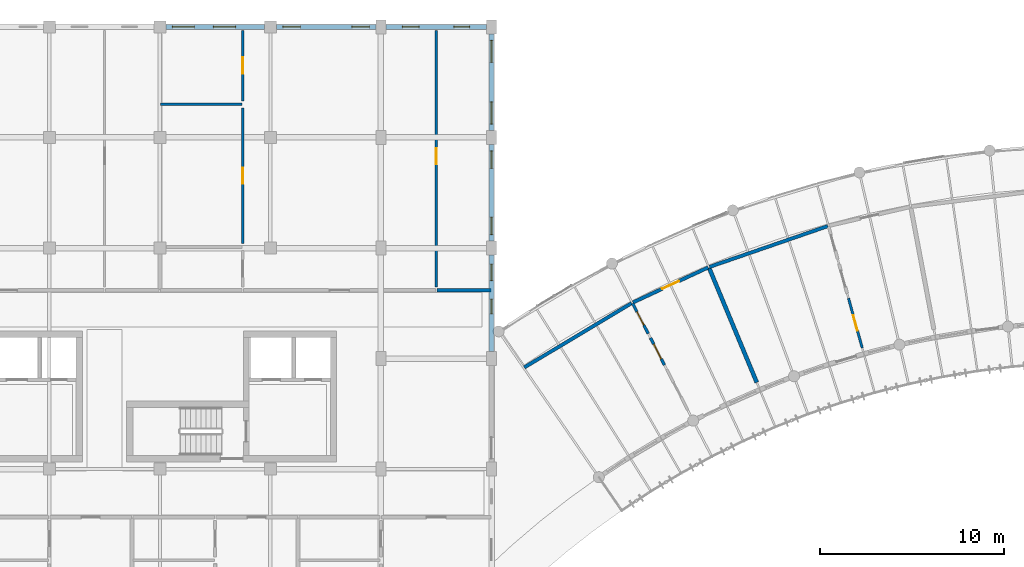
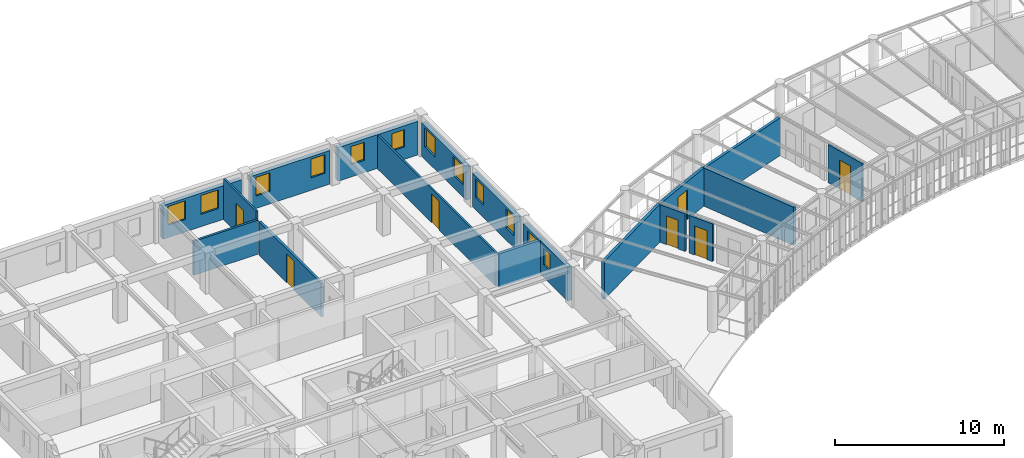
# One storey, part 72 of 100: 18 walls, 12 windows, 7 doors, 19 openings.
"""IFC4 building model written with IfcOpenShell, lengths in metres."""

from ifc_helpers import new_model, si_unit, direction, frame, frame_2d, origin, place, context, subcontext, project, spatial, rectangle, extrude, material, layer, layer_set, type_object, element, fill, save


model = new_model("IFC4")

# Units and contexts
model_context = context("Model", 3, precision=1e-05, world=origin(), true_north=direction((0.0, 1.0)))
body_context = subcontext(model_context, "Body", "Model", "MODEL_VIEW")
ifc_project = project(units=[si_unit("LENGTHUNIT", "METRE"), si_unit("AREAUNIT", "SQUARE_METRE"), si_unit("VOLUMEUNIT", "CUBIC_METRE"), si_unit("PLANEANGLEUNIT", "RADIAN"), si_unit("MASSUNIT", "GRAM", prefix="KILO"), si_unit("POWERUNIT", "WATT"), si_unit("THERMODYNAMICTEMPERATUREUNIT", "KELVIN")], contexts=[model_context])

# Site, building, storey
site_placement = place(None, origin())
site = spatial("IfcSite", under=ifc_project, at=site_placement, CompositionType="ELEMENT")
building_placement = place(site_placement, origin())
building = spatial("IfcBuilding", under=site, at=building_placement, Name="Ruvembo Vaulted Housing Court", CompositionType="ELEMENT")
storey_placement = place(building_placement, frame((0.0, 0.0, 14.10009765625)))
storey = spatial("IfcBuildingStorey", under=building, at=storey_placement, Name="L04", CompositionType="ELEMENT", Elevation=14.10009765625)

# Walls
ifc_material_1 = material(Name="Concrete Blockwork 190", Category="masonry")
ifc_layer_1 = layer(ifc_material_1, 0.18994140625, Name="Concrete Blockwork 190")
ifc_layer_set_1 = layer_set([ifc_layer_1], Name="Concrete Blockwork 190")
wall_type_1 = type_object("IfcWallType", Name="WL-CORR-190", PredefinedType="SOLIDWALL", material=ifc_layer_set_1)
wall_1_placement = place(storey_placement, frame((81.0400390625, 99.699951171875, 0.0), z_axis=(0.0, 0.0, 1.0), x_axis=(1.0, 0.0, 0.0)))
element("IfcWall", 1, at=wall_1_placement, inside=storey, type_object=wall_type_1, Name="L04 Flat B-L04-N2 Corridor Wall 2 WL-INT-L04-01185", PredefinedType="SOLIDWALL", context=body_context, shape_type="SweptSolid", body=[
    extrude(rectangle(XDim=2.919921875, YDim=0.18994140625, at=frame_2d((1.4599609375, 0.0))), origin(), (0.0, 0.0, 1.0), 2.431884765625),
])
wall_2_placement = place(storey_placement, frame((85.779296875, 95.519775390625, 0.0), z_axis=(0.0, 0.0, 1.0), x_axis=(0.857911441451, 0.513797585268, 0.0)))
element("IfcWall", 2, at=wall_2_placement, inside=storey, type_object=wall_type_1, Name="L04 Suite SC3-L04-U1 Gallery Wall WL-INT-L04-01345", PredefinedType="SOLIDWALL", context=body_context, shape_type="SweptSolid", body=[
    extrude(rectangle(XDim=6.789794921875, YDim=0.18994140625, at=frame_2d((3.39501953125, 0.0))), origin(), (0.0, 0.0, 1.0), 2.741943359375),
])

# Wall, opening, door
wall_3_placement = place(storey_placement, frame((91.6748046875, 99.0458984375, 0.0), z_axis=(0.0, 0.0, 1.0), x_axis=(0.906512639591, 0.422178675755, 0.0)))
wall_3 = element("IfcWall", 3, at=wall_3_placement, inside=storey, type_object=wall_type_1, Name="L04 Suite SC3-L04-U1 Entrance WL-INT-L04-01346", PredefinedType="SOLIDWALL", context=body_context, shape_type="SweptSolid", body=[
    extrude(rectangle(XDim=4.50146484375, YDim=0.18994140625, at=frame_2d((2.250732421875, 0.0))), origin(), (0.0, 0.0, 1.0), 2.741943359375),
])
opening_1_placement = place(wall_3_placement, frame((1.750732421875, 0.0, 0.0)))
opening_1 = element("IfcOpeningElement", 4, at=opening_1_placement, cuts=wall_3, Name="Opening FD1", PredefinedType="OPENING", context=body_context, shape_type="SweptSolid", body=[
    extrude(rectangle(XDim=1.0, YDim=2.14990234375, at=frame_2d((0.5, 1.074951171875))), frame((0.0, 0.10498046875, 0.0), z_axis=(0.0, -1.0, 0.0), x_axis=(1.0, 0.0, 0.0)), (0.0, 0.0, 1.0), 0.2099609375),
])
ifc_material_2 = material(Name="FSC Hardwood and Engineered Timber", Category="wood")
door_type_1 = type_object("IfcDoorType", Name="DR-FLAT-1000x2150", OperationType="NOTDEFINED", PredefinedType="DOOR", material=ifc_material_2)
door_1_placement = place(opening_1_placement, origin())
door_1 = element("IfcDoor", 5, at=door_1_placement, inside=storey, type_object=door_type_1, Name="L04 Suite SC3-L04-U1 Entrance Door DR-INT-L04-00756", OperationType="SINGLE_SWING_RIGHT", OverallHeight=2.14990234375, OverallWidth=1.0, PredefinedType="DOOR", context=body_context, shape_type="SweptSolid", body=[
    extrude(rectangle(XDim=1.0, YDim=2.14990234375, at=frame_2d((0.5, 1.074951171875))), frame((0.0, 0.02490234375, 0.0), z_axis=(0.0, -1.0, 0.0), x_axis=(1.0, 0.0, 0.0)), (0.0, 0.0, 1.0), 0.050048828125),
])
fill(opening_1, door_1)

# Walls
wall_4_placement = place(storey_placement, frame((95.82958984375, 100.976318359375, 0.0), z_axis=(0.0, 0.0, 1.0), x_axis=(0.945371453115, 0.325995115969, 0.0)))
element("IfcWall", 6, at=wall_4_placement, inside=storey, type_object=wall_type_1, Name="L04 Suite SC3-L04-U2 Gallery Wall WL-INT-L04-01351", PredefinedType="SOLIDWALL", context=body_context, shape_type="SweptSolid", body=[
    extrude(rectangle(XDim=6.78955078125, YDim=0.18994140625, at=frame_2d((3.394775390625, 0.0))), origin(), (0.0, 0.0, 1.0), 2.721923828125),
])
ifc_material_3 = material(Name="Acoustic Masonry Demising 220", Category="masonry")
ifc_layer_2 = layer(ifc_material_3, 0.219970703125, Name="Acoustic Masonry Demising 220")
ifc_layer_set_2 = layer_set([ifc_layer_2], Name="Acoustic Masonry Demising 220")
wall_type_2 = type_object("IfcWallType", Name="WL-DEM-200", PredefinedType="SOLIDWALL", material=ifc_layer_set_2)
wall_5_placement = place(storey_placement, frame((98.39501953125, 94.707275390625, 0.0), z_axis=(0.0, 0.0, 1.0), x_axis=(-0.384190705314, 0.923253758157, 0.0)))
element("IfcWall", 7, at=wall_5_placement, inside=storey, type_object=wall_type_2, Name="L04 Suite SC3-L04-U1 Demising WL-INT-L04-01350", PredefinedType="SOLIDWALL", context=body_context, shape_type="SweptSolid", body=[
    extrude(rectangle(XDim=6.73583984375, YDim=0.219970703125, at=frame_2d((3.367919921875, 0.0))), origin(), (0.0, 0.0, 1.0), 2.761962890625),
])

# Wall, openings, windows
ifc_material_4 = material(Name="Rendered Masonry 285", Category="masonry")
ifc_layer_3 = layer(ifc_material_4, 0.284912109375, Name="Rendered Masonry 285")
ifc_layer_set_3 = layer_set([ifc_layer_3], Name="Rendered Masonry 285")
wall_type_3 = type_object("IfcWallType", Name="WL-EXT-285", PredefinedType="STANDARD", material=ifc_layer_set_3)
wall_6_placement = place(storey_placement, frame((84.0, 96.375, 0.0), z_axis=(0.0, 0.0, 1.0), x_axis=(0.0, 1.0, 0.0)))
wall_6 = element("IfcWall", 8, at=wall_6_placement, inside=storey, type_object=wall_type_3, Name="Block B L04 Exterior Wall EAST #4", PredefinedType="STANDARD", context=body_context, shape_type="SweptSolid", body=[
    extrude(rectangle(XDim=5.25, YDim=0.284912109375, at=frame_2d((2.625, 0.0))), origin(), (0.0, 0.0, 1.0), 2.431884765625),
])
opening_2_placement = place(wall_6_placement, frame((2.0537109375, 0.0, 0.89990234375)))
opening_2 = element("IfcOpeningElement", 9, at=opening_2_placement, cuts=wall_6, Name="Opening W02", PredefinedType="OPENING", context=body_context, shape_type="SweptSolid", body=[
    extrude(rectangle(XDim=0.800048828125, YDim=1.199951171875, at=frame_2d((0.39990234375, 0.60009765625))), frame((0.0, 0.15234375, 0.0), z_axis=(0.0, -1.0, 0.0), x_axis=(1.0, 0.0, 0.0)), (0.0, 0.0, 1.0), 0.304931640625),
])
opening_3_placement = place(wall_6_placement, frame((3.857421875, 0.0, 0.89990234375)))
opening_3 = element("IfcOpeningElement", 10, at=opening_3_placement, cuts=wall_6, Name="Opening W04", PredefinedType="OPENING", context=body_context, shape_type="SweptSolid", body=[
    extrude(rectangle(XDim=0.89990234375, YDim=1.300048828125, at=frame_2d((0.449951171875, 0.64990234375))), frame((0.0, 0.15234375, 0.0), z_axis=(0.0, -1.0, 0.0), x_axis=(1.0, 0.0, 0.0)), (0.0, 0.0, 1.0), 0.304931640625),
])
ifc_material_5 = material(Name="Double Solar-Control Glazing in Aluminium Frame", Category="aluminium")
window_type_1 = type_object("IfcWindowType", Name="WIN-0800x1200", PartitioningType="SINGLE_PANEL", PredefinedType="WINDOW", material=ifc_material_5)
window_1_placement = place(opening_2_placement, origin())
window_1 = element("IfcWindow", 11, at=window_1_placement, inside=storey, type_object=window_type_1, Name="Block B L04 Window #781", OverallHeight=1.199951171875, OverallWidth=0.800048828125, PartitioningType="SINGLE_PANEL", PredefinedType="WINDOW", context=body_context, shape_type="SweptSolid", body=[
    extrude(rectangle(XDim=0.800048828125, YDim=1.199951171875, at=frame_2d((0.39990234375, 0.60009765625))), frame((0.0, 0.030029296875, 0.0), z_axis=(0.0, -1.0, 0.0), x_axis=(1.0, 0.0, 0.0)), (0.0, 0.0, 1.0), 0.06005859375),
])
fill(opening_2, window_1)
window_type_2 = type_object("IfcWindowType", Name="WIN-0900x1300", PartitioningType="SINGLE_PANEL", PredefinedType="WINDOW", material=ifc_material_5)
window_2_placement = place(opening_3_placement, origin())
window_2 = element("IfcWindow", 12, at=window_2_placement, inside=storey, type_object=window_type_2, Name="Block B L04 Window #782", OverallHeight=1.300048828125, OverallWidth=0.89990234375, PartitioningType="SINGLE_PANEL", PredefinedType="WINDOW", context=body_context, shape_type="SweptSolid", body=[
    extrude(rectangle(XDim=0.89990234375, YDim=1.300048828125, at=frame_2d((0.449951171875, 0.64990234375))), frame((0.0, 0.030029296875, 0.0), z_axis=(0.0, -1.0, 0.0), x_axis=(1.0, 0.0, 0.0)), (0.0, 0.0, 1.0), 0.06005859375),
])
fill(opening_3, window_2)

wall_7_placement = place(storey_placement, frame((84.0, 102.375, 0.0), z_axis=(0.0, 0.0, 1.0), x_axis=(0.0, 1.0, 0.0)))
wall_7 = element("IfcWall", 13, at=wall_7_placement, inside=storey, type_object=wall_type_3, Name="Block B L04 Exterior Wall EAST #5", PredefinedType="STANDARD", context=body_context, shape_type="SweptSolid", body=[
    extrude(rectangle(XDim=5.25, YDim=0.284912109375, at=frame_2d((2.625, 0.0))), origin(), (0.0, 0.0, 1.0), 2.431884765625),
])
opening_4_placement = place(wall_7_placement, frame((0.35009765625, 0.0, 0.89990234375)))
opening_4 = element("IfcOpeningElement", 14, at=opening_4_placement, cuts=wall_7, Name="Opening W07", PredefinedType="OPENING", context=body_context, shape_type="SweptSolid", body=[
    extrude(rectangle(XDim=0.949951171875, YDim=1.35009765625, at=frame_2d((0.47509765625, 0.675048828125))), frame((0.0, 0.15234375, 0.0), z_axis=(0.0, -1.0, 0.0), x_axis=(1.0, 0.0, 0.0)), (0.0, 0.0, 1.0), 0.304931640625),
])
opening_5_placement = place(wall_7_placement, frame((3.949951171875, 0.0, 0.89990234375)))
opening_5 = element("IfcOpeningElement", 15, at=opening_5_placement, cuts=wall_7, Name="Opening W07", PredefinedType="OPENING", context=body_context, shape_type="SweptSolid", body=[
    extrude(rectangle(XDim=0.949951171875, YDim=1.35009765625, at=frame_2d((0.47509765625, 0.675048828125))), frame((0.0, 0.15234375, 0.0), z_axis=(0.0, -1.0, 0.0), x_axis=(1.0, 0.0, 0.0)), (0.0, 0.0, 1.0), 0.304931640625),
])
window_type_3 = type_object("IfcWindowType", Name="WIN-0950x1350", PartitioningType="SINGLE_PANEL", PredefinedType="WINDOW", material=ifc_material_5)
window_3_placement = place(opening_4_placement, origin())
window_3 = element("IfcWindow", 16, at=window_3_placement, inside=storey, type_object=window_type_3, Name="Block B L04 Window #783", OverallHeight=1.35009765625, OverallWidth=0.949951171875, PartitioningType="SINGLE_PANEL", PredefinedType="WINDOW", context=body_context, shape_type="SweptSolid", body=[
    extrude(rectangle(XDim=0.949951171875, YDim=1.35009765625, at=frame_2d((0.47509765625, 0.675048828125))), frame((0.0, 0.030029296875, 0.0), z_axis=(0.0, -1.0, 0.0), x_axis=(1.0, 0.0, 0.0)), (0.0, 0.0, 1.0), 0.06005859375),
])
fill(opening_4, window_3)
window_4_placement = place(opening_5_placement, origin())
window_4 = element("IfcWindow", 17, at=window_4_placement, inside=storey, type_object=window_type_3, Name="Block B L04 Window #784", OverallHeight=1.35009765625, OverallWidth=0.949951171875, PartitioningType="SINGLE_PANEL", PredefinedType="WINDOW", context=body_context, shape_type="SweptSolid", body=[
    extrude(rectangle(XDim=0.949951171875, YDim=1.35009765625, at=frame_2d((0.47509765625, 0.675048828125))), frame((0.0, 0.030029296875, 0.0), z_axis=(0.0, -1.0, 0.0), x_axis=(1.0, 0.0, 0.0)), (0.0, 0.0, 1.0), 0.06005859375),
])
fill(opening_5, window_4)

wall_8_placement = place(storey_placement, frame((84.0, 108.375, 0.0), z_axis=(0.0, 0.0, 1.0), x_axis=(0.0, 1.0, 0.0)))
wall_8 = element("IfcWall", 18, at=wall_8_placement, inside=storey, type_object=wall_type_3, Name="Block B L04 Exterior Wall EAST #6", PredefinedType="STANDARD", context=body_context, shape_type="SweptSolid", body=[
    extrude(rectangle(XDim=5.25, YDim=0.284912109375, at=frame_2d((2.625, 0.0))), origin(), (0.0, 0.0, 1.0), 2.431884765625),
])
opening_6_placement = place(wall_8_placement, frame((0.35009765625, 0.0, 0.89990234375)))
opening_6 = element("IfcOpeningElement", 19, at=opening_6_placement, cuts=wall_8, Name="Opening W12", PredefinedType="OPENING", context=body_context, shape_type="SweptSolid", body=[
    extrude(rectangle(XDim=1.199951171875, YDim=1.35009765625, at=frame_2d((0.60009765625, 0.675048828125))), frame((0.0, 0.15234375, 0.0), z_axis=(0.0, -1.0, 0.0), x_axis=(1.0, 0.0, 0.0)), (0.0, 0.0, 1.0), 0.304931640625),
])
opening_7_placement = place(wall_8_placement, frame((3.699951171875, 0.0, 0.89990234375)))
opening_7 = element("IfcOpeningElement", 20, at=opening_7_placement, cuts=wall_8, Name="Opening W12", PredefinedType="OPENING", context=body_context, shape_type="SweptSolid", body=[
    extrude(rectangle(XDim=1.199951171875, YDim=1.35009765625, at=frame_2d((0.60009765625, 0.675048828125))), frame((0.0, 0.15234375, 0.0), z_axis=(0.0, -1.0, 0.0), x_axis=(1.0, 0.0, 0.0)), (0.0, 0.0, 1.0), 0.304931640625),
])
window_type_4 = type_object("IfcWindowType", Name="WIN-1200x1350", PartitioningType="SINGLE_PANEL", PredefinedType="WINDOW", material=ifc_material_5)
window_5_placement = place(opening_6_placement, origin())
window_5 = element("IfcWindow", 21, at=window_5_placement, inside=storey, type_object=window_type_4, Name="Block B L04 Window #785", OverallHeight=1.35009765625, OverallWidth=1.199951171875, PartitioningType="SINGLE_PANEL", PredefinedType="WINDOW", context=body_context, shape_type="SweptSolid", body=[
    extrude(rectangle(XDim=1.199951171875, YDim=1.35009765625, at=frame_2d((0.60009765625, 0.675048828125))), frame((0.0, 0.030029296875, 0.0), z_axis=(0.0, -1.0, 0.0), x_axis=(1.0, 0.0, 0.0)), (0.0, 0.0, 1.0), 0.06005859375),
])
fill(opening_6, window_5)
window_6_placement = place(opening_7_placement, origin())
window_6 = element("IfcWindow", 22, at=window_6_placement, inside=storey, type_object=window_type_4, Name="Block B L04 Window #786", OverallHeight=1.35009765625, OverallWidth=1.199951171875, PartitioningType="SINGLE_PANEL", PredefinedType="WINDOW", context=body_context, shape_type="SweptSolid", body=[
    extrude(rectangle(XDim=1.199951171875, YDim=1.35009765625, at=frame_2d((0.60009765625, 0.675048828125))), frame((0.0, 0.030029296875, 0.0), z_axis=(0.0, -1.0, 0.0), x_axis=(1.0, 0.0, 0.0)), (0.0, 0.0, 1.0), 0.06005859375),
])
fill(opening_7, window_6)

wall_9_placement = place(storey_placement, frame((83.72509765625, 114.0, 0.0), z_axis=(0.0, 0.0, 1.0), x_axis=(-1.0, 0.0, 0.0)))
wall_9 = element("IfcWall", 23, at=wall_9_placement, inside=storey, type_object=wall_type_3, Name="Block B L04 Exterior Wall STREET #1", PredefinedType="STANDARD", context=body_context, shape_type="SweptSolid", body=[
    extrude(rectangle(XDim=5.4501953125, YDim=0.284912109375, at=frame_2d((2.72509765625, 0.0))), origin(), (0.0, 0.0, 1.0), 2.431884765625),
])
opening_8_placement = place(wall_9_placement, frame((0.91748046875, 0.0, 0.89990234375)))
opening_8 = element("IfcOpeningElement", 24, at=opening_8_placement, cuts=wall_9, Name="Opening W03", PredefinedType="OPENING", context=body_context, shape_type="SweptSolid", body=[
    extrude(rectangle(XDim=0.85009765625, YDim=1.25, at=frame_2d((0.425048828125, 0.625))), frame((0.0, 0.15234375, 0.0), z_axis=(0.0, -1.0, 0.0), x_axis=(1.0, 0.0, 0.0)), (0.0, 0.0, 1.0), 0.304931640625),
])
opening_9_placement = place(wall_9_placement, frame((3.657470703125, 0.0, 0.89990234375)))
opening_9 = element("IfcOpeningElement", 25, at=opening_9_placement, cuts=wall_9, Name="Opening W04", PredefinedType="OPENING", context=body_context, shape_type="SweptSolid", body=[
    extrude(rectangle(XDim=0.89990234375, YDim=1.300048828125, at=frame_2d((0.449951171875, 0.64990234375))), frame((0.0, 0.15234375, 0.0), z_axis=(0.0, -1.0, 0.0), x_axis=(1.0, 0.0, 0.0)), (0.0, 0.0, 1.0), 0.304931640625),
])
window_type_5 = type_object("IfcWindowType", Name="WIN-0850x1250", PartitioningType="SINGLE_PANEL", PredefinedType="WINDOW", material=ifc_material_5)
window_7_placement = place(opening_8_placement, origin())
window_7 = element("IfcWindow", 26, at=window_7_placement, inside=storey, type_object=window_type_5, Name="Block B L04 Window #787", OverallHeight=1.25, OverallWidth=0.85009765625, PartitioningType="SINGLE_PANEL", PredefinedType="WINDOW", context=body_context, shape_type="SweptSolid", body=[
    extrude(rectangle(XDim=0.85009765625, YDim=1.25, at=frame_2d((0.425048828125, 0.625))), frame((0.0, 0.030029296875, 0.0), z_axis=(0.0, -1.0, 0.0), x_axis=(1.0, 0.0, 0.0)), (0.0, 0.0, 1.0), 0.06005859375),
])
fill(opening_8, window_7)
window_8_placement = place(opening_9_placement, origin())
window_8 = element("IfcWindow", 27, at=window_8_placement, inside=storey, type_object=window_type_2, Name="Block B L04 Window #788", OverallHeight=1.300048828125, OverallWidth=0.89990234375, PartitioningType="SINGLE_PANEL", PredefinedType="WINDOW", context=body_context, shape_type="SweptSolid", body=[
    extrude(rectangle(XDim=0.89990234375, YDim=1.300048828125, at=frame_2d((0.449951171875, 0.64990234375))), frame((0.0, 0.030029296875, 0.0), z_axis=(0.0, -1.0, 0.0), x_axis=(1.0, 0.0, 0.0)), (0.0, 0.0, 1.0), 0.06005859375),
])
fill(opening_9, window_8)

wall_10_placement = place(storey_placement, frame((77.72509765625, 114.0, 0.0), z_axis=(0.0, 0.0, 1.0), x_axis=(-1.0, 0.0, 0.0)))
wall_10 = element("IfcWall", 28, at=wall_10_placement, inside=storey, type_object=wall_type_3, Name="Block B L04 Exterior Wall STREET #2", PredefinedType="STANDARD", context=body_context, shape_type="SweptSolid", body=[
    extrude(rectangle(XDim=5.400146484375, YDim=0.284912109375, at=frame_2d((2.7001953125, 0.0))), origin(), (0.0, 0.0, 1.0), 2.431884765625),
])
opening_10_placement = place(wall_10_placement, frame((0.35009765625, 0.0, 0.89990234375)))
opening_10 = element("IfcOpeningElement", 29, at=opening_10_placement, cuts=wall_10, Name="Opening W07", PredefinedType="OPENING", context=body_context, shape_type="SweptSolid", body=[
    extrude(rectangle(XDim=0.949951171875, YDim=1.35009765625, at=frame_2d((0.47509765625, 0.675048828125))), frame((0.0, 0.15234375, 0.0), z_axis=(0.0, -1.0, 0.0), x_axis=(1.0, 0.0, 0.0)), (0.0, 0.0, 1.0), 0.304931640625),
])
opening_11_placement = place(wall_10_placement, frame((4.10009765625, 0.0, 0.89990234375)))
opening_11 = element("IfcOpeningElement", 30, at=opening_11_placement, cuts=wall_10, Name="Opening W07", PredefinedType="OPENING", context=body_context, shape_type="SweptSolid", body=[
    extrude(rectangle(XDim=0.949951171875, YDim=1.35009765625, at=frame_2d((0.47509765625, 0.675048828125))), frame((0.0, 0.15234375, 0.0), z_axis=(0.0, -1.0, 0.0), x_axis=(1.0, 0.0, 0.0)), (0.0, 0.0, 1.0), 0.304931640625),
])
window_9_placement = place(opening_10_placement, origin())
window_9 = element("IfcWindow", 31, at=window_9_placement, inside=storey, type_object=window_type_3, Name="Block B L04 Window #789", OverallHeight=1.35009765625, OverallWidth=0.949951171875, PartitioningType="SINGLE_PANEL", PredefinedType="WINDOW", context=body_context, shape_type="SweptSolid", body=[
    extrude(rectangle(XDim=0.949951171875, YDim=1.35009765625, at=frame_2d((0.47509765625, 0.675048828125))), frame((0.0, 0.030029296875, 0.0), z_axis=(0.0, -1.0, 0.0), x_axis=(1.0, 0.0, 0.0)), (0.0, 0.0, 1.0), 0.06005859375),
])
fill(opening_10, window_9)
window_10_placement = place(opening_11_placement, origin())
window_10 = element("IfcWindow", 32, at=window_10_placement, inside=storey, type_object=window_type_3, Name="Block B L04 Window #790", OverallHeight=1.35009765625, OverallWidth=0.949951171875, PartitioningType="SINGLE_PANEL", PredefinedType="WINDOW", context=body_context, shape_type="SweptSolid", body=[
    extrude(rectangle(XDim=0.949951171875, YDim=1.35009765625, at=frame_2d((0.47509765625, 0.675048828125))), frame((0.0, 0.030029296875, 0.0), z_axis=(0.0, -1.0, 0.0), x_axis=(1.0, 0.0, 0.0)), (0.0, 0.0, 1.0), 0.06005859375),
])
fill(opening_11, window_10)

wall_11_placement = place(storey_placement, frame((71.675048828125, 114.0, 0.0), z_axis=(0.0, 0.0, 1.0), x_axis=(-1.0, 0.0, 0.0)))
wall_11 = element("IfcWall", 33, at=wall_11_placement, inside=storey, type_object=wall_type_3, Name="Block B L04 Exterior Wall STREET #3", PredefinedType="STANDARD", context=body_context, shape_type="SweptSolid", body=[
    extrude(rectangle(XDim=5.35009765625, YDim=0.284912109375, at=frame_2d((2.675048828125, 0.0))), origin(), (0.0, 0.0, 1.0), 2.431884765625),
])
opening_12_placement = place(wall_11_placement, frame((1.56494140625, 0.0, 0.89990234375)))
opening_12 = element("IfcOpeningElement", 34, at=opening_12_placement, cuts=wall_11, Name="Opening W12", PredefinedType="OPENING", context=body_context, shape_type="SweptSolid", body=[
    extrude(rectangle(XDim=1.199951171875, YDim=1.35009765625, at=frame_2d((0.60009765625, 0.675048828125))), frame((0.0, 0.15234375, 0.0), z_axis=(0.0, -1.0, 0.0), x_axis=(1.0, 0.0, 0.0)), (0.0, 0.0, 1.0), 0.304931640625),
])
opening_13_placement = place(wall_11_placement, frame((3.800048828125, 0.0, 0.89990234375)))
opening_13 = element("IfcOpeningElement", 35, at=opening_13_placement, cuts=wall_11, Name="Opening W12", PredefinedType="OPENING", context=body_context, shape_type="SweptSolid", body=[
    extrude(rectangle(XDim=1.199951171875, YDim=1.35009765625, at=frame_2d((0.60009765625, 0.675048828125))), frame((0.0, 0.15234375, 0.0), z_axis=(0.0, -1.0, 0.0), x_axis=(1.0, 0.0, 0.0)), (0.0, 0.0, 1.0), 0.304931640625),
])
window_11_placement = place(opening_12_placement, origin())
window_11 = element("IfcWindow", 36, at=window_11_placement, inside=storey, type_object=window_type_4, Name="Block B L04 Window #791", OverallHeight=1.35009765625, OverallWidth=1.199951171875, PartitioningType="SINGLE_PANEL", PredefinedType="WINDOW", context=body_context, shape_type="SweptSolid", body=[
    extrude(rectangle(XDim=1.199951171875, YDim=1.35009765625, at=frame_2d((0.60009765625, 0.675048828125))), frame((0.0, 0.030029296875, 0.0), z_axis=(0.0, -1.0, 0.0), x_axis=(1.0, 0.0, 0.0)), (0.0, 0.0, 1.0), 0.06005859375),
])
fill(opening_12, window_11)
window_12_placement = place(opening_13_placement, origin())
window_12 = element("IfcWindow", 37, at=window_12_placement, inside=storey, type_object=window_type_4, Name="Block B L04 Window #792", OverallHeight=1.35009765625, OverallWidth=1.199951171875, PartitioningType="SINGLE_PANEL", PredefinedType="WINDOW", context=body_context, shape_type="SweptSolid", body=[
    extrude(rectangle(XDim=1.199951171875, YDim=1.35009765625, at=frame_2d((0.60009765625, 0.675048828125))), frame((0.0, 0.030029296875, 0.0), z_axis=(0.0, -1.0, 0.0), x_axis=(1.0, 0.0, 0.0)), (0.0, 0.0, 1.0), 0.06005859375),
])
fill(opening_13, window_12)

# Wall, opening, door
ifc_material_6 = material(Name="Plasterboard Stud Partition 125", Category="gypsum")
ifc_layer_4 = layer(ifc_material_6, 0.125, Name="Plasterboard Stud Partition 125")
ifc_layer_set_4 = layer_set([ifc_layer_4], Name="Plasterboard Stud Partition 125")
wall_type_4 = type_object("IfcWallType", Name="WL-PART-125", PredefinedType="PARTITIONING", material=ifc_layer_set_4)
wall_12_placement = place(storey_placement, frame((70.5, 109.989990234375, 0.0), z_axis=(0.0, 0.0, 1.0), x_axis=(0.0, 1.0, 0.0)))
wall_12 = element("IfcWall", 38, at=wall_12_placement, inside=storey, type_object=wall_type_4, Name="L04 Flat B-L04-N2 Bedroom 1 WL-INT-L04-01180", PredefinedType="PARTITIONING", context=body_context, shape_type="SweptSolid", body=[
    extrude(rectangle(XDim=3.820068359375, YDim=0.125, at=frame_2d((1.91015625, 0.0))), origin(), (0.0, 0.0, 1.0), 2.949951171875),
])
opening_14_placement = place(wall_12_placement, frame((1.4599609375, 0.0, 0.0)))
opening_14 = element("IfcOpeningElement", 39, at=opening_14_placement, cuts=wall_12, Name="Opening ID1", PredefinedType="OPENING", context=body_context, shape_type="SweptSolid", body=[
    extrude(rectangle(XDim=0.89990234375, YDim=2.10009765625, at=frame_2d((0.449951171875, 1.050048828125))), frame((0.0, 0.072509765625, 0.0), z_axis=(0.0, -1.0, 0.0), x_axis=(1.0, 0.0, 0.0)), (0.0, 0.0, 1.0), 0.14501953125),
])
door_type_2 = type_object("IfcDoorType", Name="DR-ROOM-0900x2100", OperationType="NOTDEFINED", PredefinedType="DOOR", material=ifc_material_2)
door_2_placement = place(opening_14_placement, origin())
door_2 = element("IfcDoor", 40, at=door_2_placement, inside=storey, type_object=door_type_2, Name="L04 Flat B-L04-N2 Bedroom 1 Door DR-INT-L04-00660", OperationType="SINGLE_SWING_RIGHT", OverallHeight=2.10009765625, OverallWidth=0.89990234375, PredefinedType="DOOR", context=body_context, shape_type="SweptSolid", body=[
    extrude(rectangle(XDim=0.89990234375, YDim=2.10009765625, at=frame_2d((0.449951171875, 1.050048828125))), frame((0.0, 0.02490234375, 0.0), z_axis=(0.0, -1.0, 0.0), x_axis=(1.0, 0.0, 0.0)), (0.0, 0.0, 1.0), 0.050048828125),
])
fill(opening_14, door_2)

wall_13_placement = place(storey_placement, frame((81.0, 99.889892578125, 0.0), z_axis=(0.0, 0.0, 1.0), x_axis=(0.0, 1.0, 0.0)))
wall_13 = element("IfcWall", 41, at=wall_13_placement, inside=storey, type_object=wall_type_4, Name="L04 Flat B-L04-N2 Bedroom 2 WL-INT-L04-01186", PredefinedType="PARTITIONING", context=body_context, shape_type="SweptSolid", body=[
    extrude(rectangle(XDim=13.920166015625, YDim=0.125, at=frame_2d((6.9599609375, 0.0))), origin(), (0.0, 0.0, 1.0), 2.431884765625),
])
opening_15_placement = place(wall_13_placement, frame((6.64990234375, 0.0, 0.0)))
opening_15 = element("IfcOpeningElement", 42, at=opening_15_placement, cuts=wall_13, Name="Opening ID3", PredefinedType="OPENING", context=body_context, shape_type="SweptSolid", body=[
    extrude(rectangle(XDim=0.8798828125, YDim=2.10009765625, at=frame_2d((0.43994140625, 1.050048828125))), frame((0.0, 0.072509765625, 0.0), z_axis=(0.0, -1.0, 0.0), x_axis=(1.0, 0.0, 0.0)), (0.0, 0.0, 1.0), 0.14501953125),
])
door_type_3 = type_object("IfcDoorType", Name="DR-ROOM-0880x2100", OperationType="NOTDEFINED", PredefinedType="DOOR", material=ifc_material_2)
door_3_placement = place(opening_15_placement, origin())
door_3 = element("IfcDoor", 43, at=door_3_placement, inside=storey, type_object=door_type_3, Name="L04 Flat B-L04-N2 Bedroom 2 Door DR-INT-L04-00663", OperationType="SINGLE_SWING_LEFT", OverallHeight=2.10009765625, OverallWidth=0.8798828125, PredefinedType="DOOR", context=body_context, shape_type="SweptSolid", body=[
    extrude(rectangle(XDim=0.8798828125, YDim=2.10009765625, at=frame_2d((0.43994140625, 1.050048828125))), frame((0.0, 0.02490234375, 0.0), z_axis=(0.0, -1.0, 0.0), x_axis=(1.0, 0.0, 0.0)), (0.0, 0.0, 1.0), 0.050048828125),
])
fill(opening_15, door_3)

ifc_material_7 = material(Name="Acoustic Stud Partition 135", Category="gypsum")
ifc_layer_5 = layer(ifc_material_7, 0.135009765625, Name="Acoustic Stud Partition 135")
ifc_layer_set_5 = layer_set([ifc_layer_5], Name="Acoustic Stud Partition 135")
wall_type_5 = type_object("IfcWallType", Name="WL-PART-135", PredefinedType="PARTITIONING", material=ifc_layer_set_5)
wall_14_placement = place(storey_placement, frame((104.117919921875, 96.57958984375, 0.0), z_axis=(0.0, 0.0, 1.0), x_axis=(-0.266568819947, 0.963815887103, 0.0)))
wall_14 = element("IfcWall", 44, at=wall_14_placement, inside=storey, type_object=wall_type_5, Name="L04 Suite SC3-L04-U2 Bedroom WL-INT-L04-01353", PredefinedType="PARTITIONING", context=body_context, shape_type="SweptSolid", body=[
    extrude(rectangle(XDim=2.7998046875, YDim=0.135009765625, at=frame_2d((1.39990234375, 0.0))), origin(), (0.0, 0.0, 1.0), 2.761962890625),
])
opening_16_placement = place(wall_14_placement, frame((0.9599609375, 0.0, 0.0)))
opening_16 = element("IfcOpeningElement", 45, at=opening_16_placement, cuts=wall_14, Name="Opening ID3", PredefinedType="OPENING", context=body_context, shape_type="SweptSolid", body=[
    extrude(rectangle(XDim=0.8798828125, YDim=2.10009765625, at=frame_2d((0.43994140625, 1.050048828125))), frame((0.0, 0.077392578125, 0.0), z_axis=(0.0, -1.0, 0.0), x_axis=(1.0, 0.0, 0.0)), (0.0, 0.0, 1.0), 0.155029296875),
])
door_4_placement = place(opening_16_placement, origin())
door_4 = element("IfcDoor", 46, at=door_4_placement, inside=storey, type_object=door_type_3, Name="L04 Suite SC3-L04-U2 Bedroom Door DR-INT-L04-00761", OperationType="SINGLE_SWING_LEFT", OverallHeight=2.10009765625, OverallWidth=0.8798828125, PredefinedType="DOOR", context=body_context, shape_type="SweptSolid", body=[
    extrude(rectangle(XDim=0.8798828125, YDim=2.10009765625, at=frame_2d((0.43994140625, 1.050048828125))), frame((0.0, 0.02490234375, 0.0), z_axis=(0.0, -1.0, 0.0), x_axis=(1.0, 0.0, 0.0)), (0.0, 0.0, 1.0), 0.050048828125),
])
fill(opening_16, door_4)

# Wall
ifc_material_8 = material(Name="Moisture-Resistant Wet Partition 150", Category="gypsum")
ifc_layer_6 = layer(ifc_material_8, 0.14990234375, Name="Moisture-Resistant Wet Partition 150")
ifc_layer_set_6 = layer_set([ifc_layer_6], Name="Moisture-Resistant Wet Partition 150")
wall_type_6 = type_object("IfcWallType", Name="WL-PART-150", PredefinedType="PARTITIONING", material=ifc_layer_set_6)
wall_15_placement = place(storey_placement, frame((66.0400390625, 109.800048828125, 0.0), z_axis=(0.0, 0.0, 1.0), x_axis=(1.0, 0.0, 0.0)))
element("IfcWall", 47, at=wall_15_placement, inside=storey, type_object=wall_type_6, Name="L04 Flat B-L04-N2 Wet Wall 1 WL-INT-L04-01183", PredefinedType="PARTITIONING", context=body_context, shape_type="SweptSolid", body=[
    extrude(rectangle(XDim=4.419921875, YDim=0.14990234375, at=frame_2d((2.2099609375, 0.0))), origin(), (0.0, 0.0, 1.0), 2.4580078125),
])

# Wall, opening, door
wall_16_placement = place(storey_placement, frame((92.502197265625, 97.359130859375, 0.0), z_axis=(0.0, 0.0, 1.0), x_axis=(-0.459379600499, 0.888240047873, 0.0)))
wall_16 = element("IfcWall", 48, at=wall_16_placement, inside=storey, type_object=wall_type_6, Name="L04 Suite SC3-L04-U1 Bathroom WL-INT-L04-01349", PredefinedType="PARTITIONING", context=body_context, shape_type="SweptSolid", body=[
    extrude(rectangle(XDim=1.83984375, YDim=0.14990234375, at=frame_2d((0.919921875, 0.0))), origin(), (0.0, 0.0, 1.0), 2.721923828125),
])
opening_17_placement = place(wall_16_placement, frame((0.510009765625, 0.0, 0.0)))
opening_17 = element("IfcOpeningElement", 49, at=opening_17_placement, cuts=wall_16, Name="Opening ID4", PredefinedType="OPENING", context=body_context, shape_type="SweptSolid", body=[
    extrude(rectangle(XDim=0.820068359375, YDim=2.080078125, at=frame_2d((0.41015625, 1.0400390625))), frame((0.0, 0.0849609375, 0.0), z_axis=(0.0, -1.0, 0.0), x_axis=(1.0, 0.0, 0.0)), (0.0, 0.0, 1.0), 0.169921875),
])
door_type_4 = type_object("IfcDoorType", Name="DR-WET-0820x2080", OperationType="NOTDEFINED", PredefinedType="DOOR", material=ifc_material_2)
door_5_placement = place(opening_17_placement, origin())
door_5 = element("IfcDoor", 50, at=door_5_placement, inside=storey, type_object=door_type_4, Name="L04 Suite SC3-L04-U1 Bathroom Door DR-INT-L04-00759", OperationType="SINGLE_SWING_LEFT", OverallHeight=2.080078125, OverallWidth=0.820068359375, PredefinedType="DOOR", context=body_context, shape_type="SweptSolid", body=[
    extrude(rectangle(XDim=0.820068359375, YDim=2.080078125, at=frame_2d((0.41015625, 1.0400390625))), frame((0.0, 0.02490234375, 0.0), z_axis=(0.0, -1.0, 0.0), x_axis=(1.0, 0.0, 0.0)), (0.0, 0.0, 1.0), 0.050048828125),
])
fill(opening_17, door_5)

ifc_material_9 = material(Name="Acoustic Service Chase Wall 160", Category="gypsum")
ifc_layer_7 = layer(ifc_material_9, 0.159912109375, Name="Acoustic Service Chase Wall 160")
ifc_layer_set_7 = layer_set([ifc_layer_7], Name="Acoustic Service Chase Wall 160")
wall_type_7 = type_object("IfcWallType", Name="WL-PLUMB-160", PredefinedType="PLUMBINGWALL", material=ifc_layer_set_7)
wall_17_placement = place(storey_placement, frame((70.5, 102.239990234375, 0.0), z_axis=(0.0, 0.0, 1.0), x_axis=(0.0, 1.0, 0.0)))
wall_17 = element("IfcWall", 51, at=wall_17_placement, inside=storey, type_object=wall_type_7, Name="L04 Flat B-L04-N2 Kitchen WL-INT-L04-01181", PredefinedType="PLUMBINGWALL", context=body_context, shape_type="SweptSolid", body=[
    extrude(rectangle(XDim=7.3701171875, YDim=0.159912109375, at=frame_2d((3.68505859375, 0.0))), origin(), (0.0, 0.0, 1.0), 2.431884765625),
])
opening_18_placement = place(wall_17_placement, frame((3.2451171875, 0.0, 0.0)))
opening_18 = element("IfcOpeningElement", 52, at=opening_18_placement, cuts=wall_17, Name="Opening ID3", PredefinedType="OPENING", context=body_context, shape_type="SweptSolid", body=[
    extrude(rectangle(XDim=0.8798828125, YDim=2.10009765625, at=frame_2d((0.43994140625, 1.050048828125))), frame((0.0, 0.08984375, 0.0), z_axis=(0.0, -1.0, 0.0), x_axis=(1.0, 0.0, 0.0)), (0.0, 0.0, 1.0), 0.179931640625),
])
door_6_placement = place(opening_18_placement, origin())
door_6 = element("IfcDoor", 53, at=door_6_placement, inside=storey, type_object=door_type_3, Name="L04 Flat B-L04-N2 Kitchen Door DR-INT-L04-00661", OperationType="SINGLE_SWING_LEFT", OverallHeight=2.10009765625, OverallWidth=0.8798828125, PredefinedType="DOOR", context=body_context, shape_type="SweptSolid", body=[
    extrude(rectangle(XDim=0.8798828125, YDim=2.10009765625, at=frame_2d((0.43994140625, 1.050048828125))), frame((0.0, 0.02490234375, 0.0), z_axis=(0.0, -1.0, 0.0), x_axis=(1.0, 0.0, 0.0)), (0.0, 0.0, 1.0), 0.050048828125),
])
fill(opening_18, door_6)

wall_18_placement = place(storey_placement, frame((93.384521484375, 95.65380859375, 0.0), z_axis=(0.0, 0.0, 1.0), x_axis=(-0.459495453195, 0.888180121649, 0.0)))
wall_18 = element("IfcWall", 54, at=wall_18_placement, inside=storey, type_object=wall_type_7, Name="L04 Suite SC3-L04-U1 Kitchen WL-INT-L04-01348", PredefinedType="PLUMBINGWALL", context=body_context, shape_type="SweptSolid", body=[
    extrude(rectangle(XDim=1.648193359375, YDim=0.159912109375, at=frame_2d((0.82421875, 0.0))), origin(), (0.0, 0.0, 1.0), 2.721923828125),
])
opening_19_placement = place(wall_18_placement, frame((0.3740234375, 0.0, 0.0)))
opening_19 = element("IfcOpeningElement", 55, at=opening_19_placement, cuts=wall_18, Name="Opening ID1", PredefinedType="OPENING", context=body_context, shape_type="SweptSolid", body=[
    extrude(rectangle(XDim=0.89990234375, YDim=2.10009765625, at=frame_2d((0.449951171875, 1.050048828125))), frame((0.0, 0.08984375, 0.0), z_axis=(0.0, -1.0, 0.0), x_axis=(1.0, 0.0, 0.0)), (0.0, 0.0, 1.0), 0.179931640625),
])
door_7_placement = place(opening_19_placement, origin())
door_7 = element("IfcDoor", 56, at=door_7_placement, inside=storey, type_object=door_type_2, Name="L04 Suite SC3-L04-U1 Kitchen Door DR-INT-L04-00758", OperationType="SINGLE_SWING_RIGHT", OverallHeight=2.10009765625, OverallWidth=0.89990234375, PredefinedType="DOOR", context=body_context, shape_type="SweptSolid", body=[
    extrude(rectangle(XDim=0.89990234375, YDim=2.10009765625, at=frame_2d((0.449951171875, 1.050048828125))), frame((0.0, 0.02490234375, 0.0), z_axis=(0.0, -1.0, 0.0), x_axis=(1.0, 0.0, 0.0)), (0.0, 0.0, 1.0), 0.050048828125),
])
fill(opening_19, door_7)

save(model, "model.ifc")
